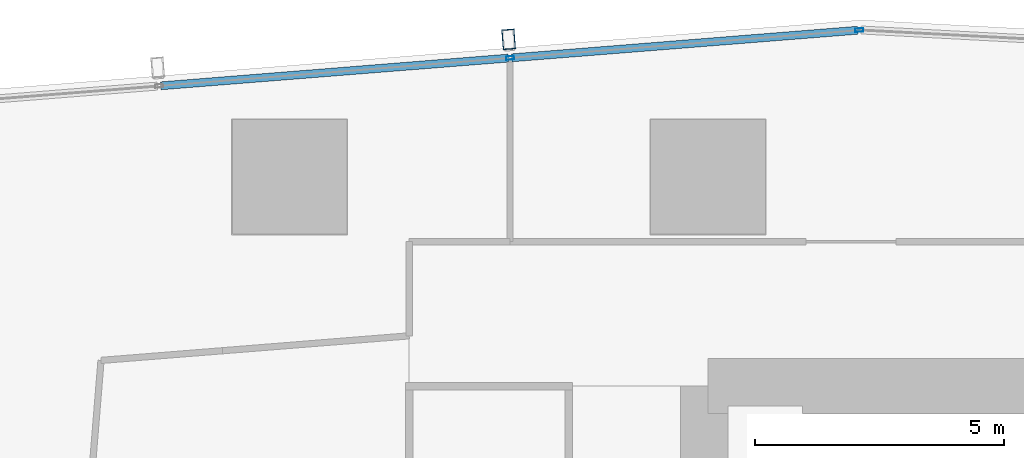
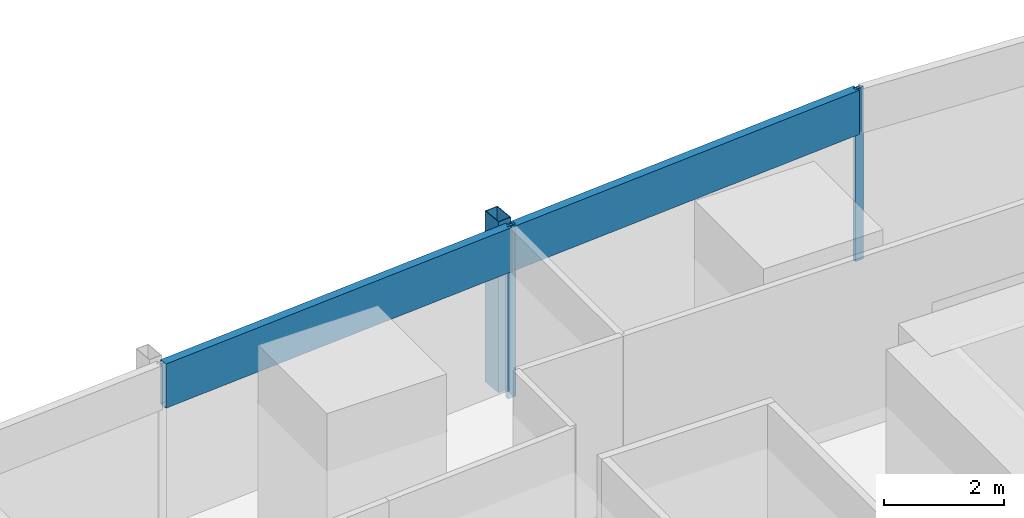
# One storey, part 15 of 32: 5 members, 1 element without a shape of its own.
"""IFC4 building model written with IfcOpenShell, lengths in metres."""

from ifc_helpers import new_model, si_unit, direction, frame, origin, origin_2d, place, context, subcontext, project, spatial, hollow_rectangle, extrude, material, material_profile, profile_set, type_object, element, aggregate, save


model = new_model("IFC4")

# Units and contexts
model_context = context("Model", 3, precision=1e-05, world=origin(), true_north=direction((0.0, 1.0)))
body_context = subcontext(model_context, "Body", "Model", "MODEL_VIEW")
ifc_project = project(units=[si_unit("LENGTHUNIT", "METRE"), si_unit("AREAUNIT", "SQUARE_METRE"), si_unit("VOLUMEUNIT", "CUBIC_METRE"), si_unit("PLANEANGLEUNIT", "RADIAN"), si_unit("MASSUNIT", "GRAM", prefix="KILO")], contexts=[model_context])

# Site, building, storey
site_placement = place(None, origin())
site = spatial("IfcSite", under=ifc_project, at=site_placement, CompositionType="ELEMENT")
building_placement = place(site_placement, origin())
building = spatial("IfcBuilding", under=site, at=building_placement, Name="Rekha Terrace Tower", CompositionType="ELEMENT")
storey_placement = place(building_placement, frame((0.0, 0.0, 250.10009765625)))
storey = spatial("IfcBuildingStorey", under=building, at=storey_placement, Name="L63", CompositionType="ELEMENT", Elevation=250.10009765625)

# Curtain wall, members
ifc_material_1 = material(Name="Aluminium framing", Category="aluminium")
curtain_wall_type = type_object("IfcCurtainWallType", Name="CW3 north unitised glazing", PredefinedType="USERDEFINED", material=ifc_material_1)
curtain_wall_placement = place(storey_placement, origin())
curtain_wall = element("IfcCurtainWall", 1, at=curtain_wall_placement, inside=storey, type_object=curtain_wall_type, Name="CW3 unitised curtain wall", ObjectType="UNITISED CURTAIN WALL", PredefinedType="USERDEFINED")
ifc_material_2 = material(Name="Steel S355 with fluorocarbon finish", Category="steel")
ifc_material_profile_1 = material_profile(ifc_material_2, hollow_rectangle(XDim=0.25, YDim=0.39990234375, WallThickness=0.012451171875, at=origin_2d()), Name="RHS400x250x12.5")
ifc_profile_set_1 = profile_set([ifc_material_profile_1], Name="Steel S355 with fluorocarbon finish")
member_type_1 = type_object("IfcMemberType", Name="BL1 facade blade RHS 400 x 250", PredefinedType="USERDEFINED", material=ifc_profile_set_1)
member_1_placement = place(storey_placement, frame((21.197021484375, 53.16162109375, 0.02001953125), z_axis=(0.0, 0.0, 1.0), x_axis=(-0.996836012392, -0.079485623849, 0.0)))
member_1 = element("IfcMember", 2, at=member_1_placement, type_object=member_type_1, Name="Facade blade", ObjectType="FACADE BLADE", PredefinedType="USERDEFINED", context=body_context, shape_type="SweptSolid", body=[
    extrude(hollow_rectangle(XDim=0.25, YDim=0.39990234375, WallThickness=0.012451171875, at=origin_2d()), origin(), (0.0, 0.0, 1.0), 3.47998046875),
])
ifc_material_3 = material(Name="Aluminium mullion section", Category="aluminium")
ifc_material_profile_2 = material_profile(ifc_material_3, hollow_rectangle(XDim=0.070068359375, YDim=0.159912109375, WallThickness=0.00390625, at=origin_2d()), Name="AL RHS 70x160")
ifc_profile_set_2 = profile_set([ifc_material_profile_2], Name="Aluminium mullion section")
member_type_2 = type_object("IfcMemberType", Name="CW3 mullion RHS 70 x 160", PredefinedType="MULLION", material=ifc_profile_set_2)
member_2_placement = place(storey_placement, frame((28.23779296875, 53.3466796875, 0.0), z_axis=(0.0, 0.0, 1.0), x_axis=(0.07948505154, -0.996836058026, 0.0)))
member_2 = element("IfcMember", 3, at=member_2_placement, type_object=member_type_2, Name="CW3 mullion 1", PredefinedType="MULLION", context=body_context, shape_type="SweptSolid", body=[
    extrude(hollow_rectangle(XDim=0.070068359375, YDim=0.159912109375, WallThickness=0.00390625, at=origin_2d()), origin(), (0.0, 0.0, 1.0), 3.5),
])
member_3_placement = place(storey_placement, frame((21.22705078125, 52.787841796875, 0.0), z_axis=(0.0, 0.0, 1.0), x_axis=(0.07948505154, -0.996836058026, 0.0)))
member_3 = element("IfcMember", 4, at=member_3_placement, type_object=member_type_2, Name="CW3 mullion 2", PredefinedType="MULLION", context=body_context, shape_type="SweptSolid", body=[
    extrude(hollow_rectangle(XDim=0.070068359375, YDim=0.159912109375, WallThickness=0.00390625, at=origin_2d()), origin(), (0.0, 0.0, 1.0), 3.5),
])
ifc_material_4 = material(Name="Insulated aluminium spandrel box", Category="aluminium")
ifc_material_profile_3 = material_profile(ifc_material_4, hollow_rectangle(XDim=0.159912109375, YDim=0.89990234375, WallThickness=0.0029296875, at=origin_2d()), Name="AL SPANDREL BOX 160x900")
ifc_profile_set_3 = profile_set([ifc_material_profile_3], Name="Insulated aluminium spandrel box")
member_type_3 = type_object("IfcMemberType", Name="CW3 spandrel transom 160 x 900", PredefinedType="USERDEFINED", material=ifc_profile_set_3)
member_4_placement = place(storey_placement, frame((28.202880859375, 53.343994140625, 3.0498046875), z_axis=(-0.996836091906, -0.079484626652, 0.0), x_axis=(0.079484626652, -0.996836091906, 0.0)))
member_4 = element("IfcMember", 5, at=member_4_placement, type_object=member_type_3, Name="CW3 spandrel transom 1", ObjectType="TRANSOM", PredefinedType="USERDEFINED", context=body_context, shape_type="SweptSolid", body=[
    extrude(hollow_rectangle(XDim=0.159912109375, YDim=0.89990234375, WallThickness=0.0029296875, at=origin_2d()), origin(), (0.0, 0.0, 1.0), 6.963134765625),
])
member_5_placement = place(storey_placement, frame((21.192138671875, 52.784912109375, 3.0498046875), z_axis=(-0.996837204037, -0.079470677917, 0.0), x_axis=(0.079470677917, -0.996837204037, 0.0)))
member_5 = element("IfcMember", 6, at=member_5_placement, type_object=member_type_3, Name="CW3 spandrel transom 2", ObjectType="TRANSOM", PredefinedType="USERDEFINED", context=body_context, shape_type="SweptSolid", body=[
    extrude(hollow_rectangle(XDim=0.159912109375, YDim=0.89990234375, WallThickness=0.0029296875, at=origin_2d()), origin(), (0.0, 0.0, 1.0), 6.998291015625),
])
aggregate(curtain_wall, [member_2, member_3, member_4, member_5, member_1])

save(model, "model.ifc")
